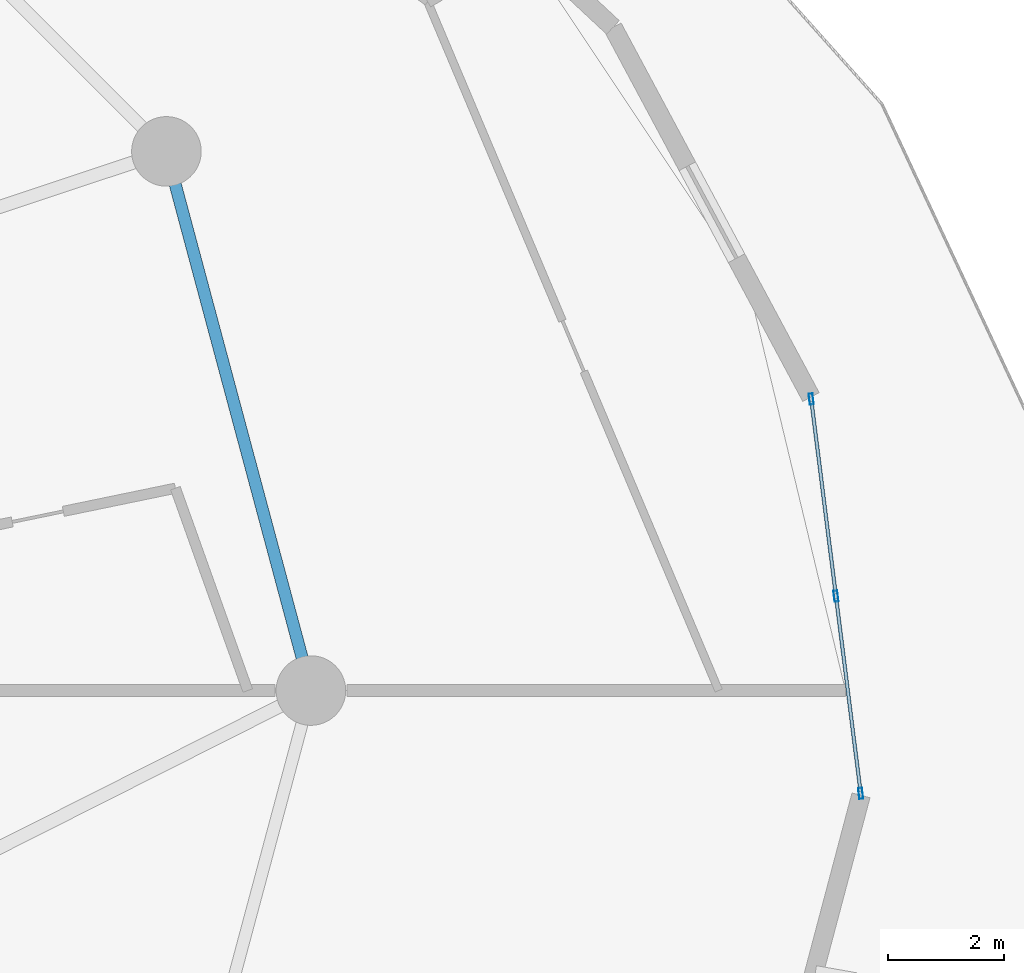
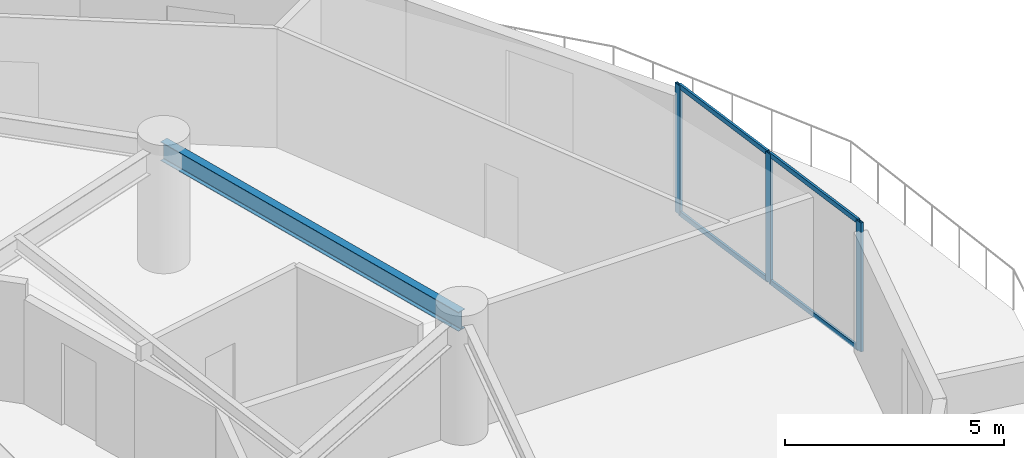
# One storey, part 11 of 25: 7 members, 1 beam, 1 element without a shape of its own.
"""IFC4 building model written with IfcOpenShell, lengths in metres."""

from ifc_helpers import new_model, si_unit, direction, frame, origin, origin_2d, place, context, subcontext, project, spatial, hollow_rectangle, i_section, extrude, source, transform, mapped, material, layer, layer_set, material_profile, profile_set, type_object, element, aggregate, save


model = new_model("IFC4")

# Units and contexts
model_context = context("Model", 3, precision=1e-05, world=origin(), true_north=direction((0.0, 1.0)))
body_context = subcontext(model_context, "Body", "Model", "MODEL_VIEW")
ifc_project = project(units=[si_unit("LENGTHUNIT", "METRE"), si_unit("AREAUNIT", "SQUARE_METRE"), si_unit("VOLUMEUNIT", "CUBIC_METRE"), si_unit("PLANEANGLEUNIT", "RADIAN"), si_unit("MASSUNIT", "GRAM", prefix="KILO")], contexts=[model_context])

# Site, building, storey
site_placement = place(None, origin())
site = spatial("IfcSite", under=ifc_project, at=site_placement, CompositionType="ELEMENT")
building_placement = place(site_placement, origin())
building = spatial("IfcBuilding", under=site, at=building_placement, Name="Solvirekh Grand Hotel", CompositionType="ELEMENT")
storey_placement = place(building_placement, frame((0.0, 0.0, 28.39990234375)))
storey = spatial("IfcBuildingStorey", under=building, at=storey_placement, Name="L05", CompositionType="ELEMENT", Elevation=28.39990234375)

# Beam
ifc_material_1 = material(Name="Steel S355", Category="steel")
ifc_material_profile_1 = material_profile(ifc_material_1, i_section(OverallWidth=0.208984375, OverallDepth=0.532958984375, WebThickness=0.010009765625, FlangeThickness=0.014892578125, FilletRadius=0.013916015625, at=origin_2d()), Name="W530X92")
ifc_profile_set_1 = profile_set([ifc_material_profile_1], Name="Steel S355")
beam_type = type_object("IfcBeamType", Name="Spandrel_Ring_W530", PredefinedType="SPANDREL", material=ifc_profile_set_1)
beam_placement = place(storey_placement, frame((18.60009765625, 0.0, 3.072998046875), z_axis=(-0.258842973314, 0.965919414426, 0.0), x_axis=(-0.965919414426, -0.258842973314, 0.0)))
element("IfcBeam", 1, at=beam_placement, inside=storey, type_object=beam_type, Name="L05 perimeter spandrel beam 1", PredefinedType="SPANDREL", context=body_context, shape_type="SweptSolid", body=[
    extrude(i_section(OverallWidth=0.208984375, OverallDepth=0.532958984375, WebThickness=0.010009765625, FlangeThickness=0.014892578125, FilletRadius=0.013916015625, at=origin_2d()), origin(), (0.0, 0.0, 1.0), 9.628173828125),
])

# Curtain wall, members
ifc_material_2 = material(Name="Anodized Bronze Aluminium 6063-T6", Category="aluminium")
ifc_layer = layer(ifc_material_2, 0.18994140625)
ifc_layer_set = layer_set([ifc_layer], Name="Anodized Bronze Aluminium 6063-T6")
curtain_wall_type = type_object("IfcCurtainWallType", Name="CW_Sys2_LowZoneFlushBronzeCW", PredefinedType="NOTDEFINED", material=ifc_layer_set)
curtain_wall_placement = place(storey_placement, origin())
curtain_wall = element("IfcCurtainWall", 2, at=curtain_wall_placement, inside=storey, type_object=curtain_wall_type, Name="L05 unitised bronze-glass curtain wall CW-L05-C01", PredefinedType="NOTDEFINED")
ifc_material_profile_2 = material_profile(ifc_material_2, hollow_rectangle(XDim=0.070068359375, YDim=0.18994140625, WallThickness=0.0048828125, at=origin_2d()), Name="ALU RHS 190X70X5")
ifc_profile_set_2 = profile_set([ifc_material_profile_2], Name="Anodized Bronze Aluminium 6063-T6")
member_type_1 = type_object("IfcMemberType", Name="CWMullion_Sys2", PredefinedType="MULLION", material=ifc_profile_set_2)
shared_shape_1 = source(origin(), body_context, "Body", "SweptSolid", [
    extrude(hollow_rectangle(XDim=0.070068359375, YDim=0.18994140625, WallThickness=0.0048828125, at=origin_2d()), origin(), (0.0, 0.0, 1.0), 3.60009765625),
])
member_1_placement = place(storey_placement, frame((28.084716796875, -1.773193359375, 0.0), z_axis=(0.0, 0.0, 1.0), x_axis=(-0.992204390249, -0.124621217979, 0.0)))
member_1 = element("IfcMember", 3, at=member_1_placement, type_object=member_type_1, Name="U02 mullion 1", PredefinedType="MULLION", context=body_context, shape_type="MappedRepresentation", body=[
    mapped(shared_shape_1, transform((0.0, 0.0, 0.0), x_axis=(1.0, 0.0, 0.0), y_axis=(0.0, 1.0, 0.0), z_axis=(0.0, 0.0, 1.0), scale=1.0)),
])
member_2_placement = place(storey_placement, frame((27.657470703125, 1.62744140625, 0.0), z_axis=(0.0, 0.0, 1.0), x_axis=(-0.992204390249, -0.124621217979, 0.0)))
member_2 = element("IfcMember", 4, at=member_2_placement, type_object=member_type_1, Name="U02 mullion 2", PredefinedType="MULLION", context=body_context, shape_type="MappedRepresentation", body=[
    mapped(shared_shape_1, transform((0.0, 0.0, 0.0), x_axis=(1.0, 0.0, 0.0), y_axis=(0.0, 1.0, 0.0), z_axis=(0.0, 0.0, 1.0), scale=1.0)),
])
member_3_placement = place(storey_placement, frame((27.23046875, 5.0283203125, 0.0), z_axis=(0.0, 0.0, 1.0), x_axis=(-0.992204390249, -0.124621217979, 0.0)))
member_3 = element("IfcMember", 5, at=member_3_placement, type_object=member_type_1, Name="U02 mullion 3", PredefinedType="MULLION", context=body_context, shape_type="MappedRepresentation", body=[
    mapped(shared_shape_1, transform((0.0, 0.0, 0.0), x_axis=(1.0, 0.0, 0.0), y_axis=(0.0, 1.0, 0.0), z_axis=(0.0, 0.0, 1.0), scale=1.0)),
])
ifc_material_profile_3 = material_profile(ifc_material_2, hollow_rectangle(XDim=0.06005859375, YDim=0.135009765625, WallThickness=0.00390625, at=origin_2d()), Name="ALU RHS 135X60X4")
ifc_profile_set_3 = profile_set([ifc_material_profile_3], Name="Anodized Bronze Aluminium 6063-T6")
member_type_2 = type_object("IfcMemberType", Name="CWTransom_Sys2", PredefinedType="USERDEFINED", material=ifc_profile_set_3)
shared_shape_2 = source(origin(), body_context, "Body", "SweptSolid", [
    extrude(hollow_rectangle(XDim=0.06005859375, YDim=0.135009765625, WallThickness=0.00390625, at=origin_2d()), origin(), (0.0, 0.0, 1.0), 3.357421875),
])
member_4_placement = place(storey_placement, frame((28.080322265625, -1.738525390625, 0.030029296875), z_axis=(-0.124634334989, 0.99220274266, 0.0), x_axis=(-0.99220274266, -0.124634334989, 0.0)))
member_4 = element("IfcMember", 6, at=member_4_placement, type_object=member_type_2, Name="U02 transom 1.1", ObjectType="TRANSOM", PredefinedType="USERDEFINED", context=body_context, shape_type="MappedRepresentation", body=[
    mapped(shared_shape_2, transform((0.0, 0.0, 0.0), x_axis=(1.0, 0.0, 0.0), y_axis=(0.0, 1.0, 0.0), z_axis=(0.0, 0.0, 1.0), scale=1.0)),
])
member_5_placement = place(storey_placement, frame((28.080322265625, -1.738525390625, 3.570068359375), z_axis=(-0.124634334989, 0.99220274266, 0.0), x_axis=(-0.99220274266, -0.124634334989, 0.0)))
member_5 = element("IfcMember", 7, at=member_5_placement, type_object=member_type_2, Name="U02 transom 1.2", ObjectType="TRANSOM", PredefinedType="USERDEFINED", context=body_context, shape_type="MappedRepresentation", body=[
    mapped(shared_shape_2, transform((0.0, 0.0, 0.0), x_axis=(1.0, 0.0, 0.0), y_axis=(0.0, 1.0, 0.0), z_axis=(0.0, 0.0, 1.0), scale=1.0)),
])
shared_shape_3 = source(origin(), body_context, "Body", "SweptSolid", [
    extrude(hollow_rectangle(XDim=0.06005859375, YDim=0.135009765625, WallThickness=0.00390625, at=origin_2d()), origin(), (0.0, 0.0, 1.0), 3.357666015625),
])
member_6_placement = place(storey_placement, frame((27.653076171875, 1.662109375, 0.030029296875), z_axis=(-0.124625343452, 0.992203872079, 0.0), x_axis=(-0.992203872079, -0.124625343452, 0.0)))
member_6 = element("IfcMember", 8, at=member_6_placement, type_object=member_type_2, Name="U02 transom 2.1", ObjectType="TRANSOM", PredefinedType="USERDEFINED", context=body_context, shape_type="MappedRepresentation", body=[
    mapped(shared_shape_3, transform((0.0, 0.0, 0.0), x_axis=(1.0, 0.0, 0.0), y_axis=(0.0, 1.0, 0.0), z_axis=(0.0, 0.0, 1.0), scale=1.0)),
])
member_7_placement = place(storey_placement, frame((27.653076171875, 1.662109375, 3.570068359375), z_axis=(-0.124625343452, 0.992203872079, 0.0), x_axis=(-0.992203872079, -0.124625343452, 0.0)))
member_7 = element("IfcMember", 9, at=member_7_placement, type_object=member_type_2, Name="U02 transom 2.2", ObjectType="TRANSOM", PredefinedType="USERDEFINED", context=body_context, shape_type="MappedRepresentation", body=[
    mapped(shared_shape_3, transform((0.0, 0.0, 0.0), x_axis=(1.0, 0.0, 0.0), y_axis=(0.0, 1.0, 0.0), z_axis=(0.0, 0.0, 1.0), scale=1.0)),
])
aggregate(curtain_wall, [member_1, member_2, member_3, member_4, member_5, member_6, member_7])

save(model, "model.ifc")
